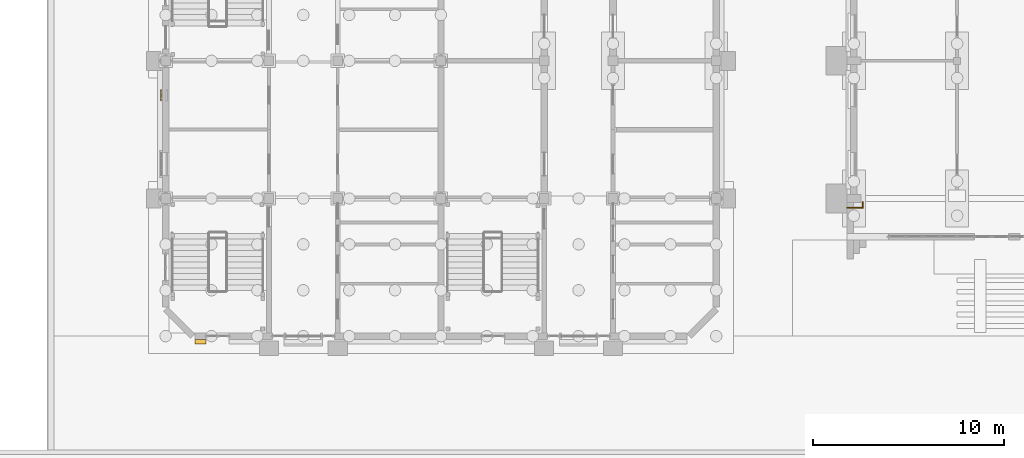
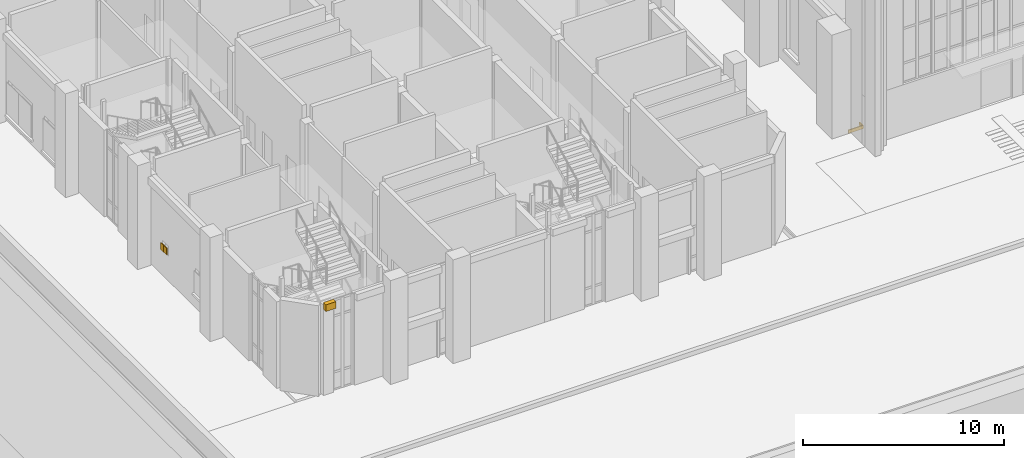
# One storey, part 81 of 84: 4 coverings.
"""IFC4 building model written with IfcOpenShell, lengths in metres."""

import ifcopenshell
import ifcopenshell.guid

model = None  # the IFC model being written
_history = None  # IfcOwnerHistory: only IFC2X3 demands one
_inside = {}  # id of a spatial element -> (the spatial element, [elements in it])
_under = {}  # id of a project, library or spatial element -> (it, [spatial elements below it])
_declared = {}  # id of a project -> (the project, [libraries it declares])
_typed = {}  # id of a type object -> (the type object, [elements of that type])
_made_of = {}  # id of a material, layer set ... -> (it, [elements and type objects made of it])


def new_model(schema):
    """Start an empty IFC model of exactly this schema.

    Asked for "IFC4X3", IfcOpenShell would pick the latest addendum, in which some entities
    have other attributes; the version numbers below select the first issue.
    IFC2X3 requires an IfcOwnerHistory on every rooted entity: one is made here for all.
    """
    global model, _history
    if schema == "IFC4X3":
        model = ifcopenshell.file(schema_version=(4, 3, 0, 0))
    else:
        model = ifcopenshell.file(schema=schema)
    _inside.clear()
    _under.clear()
    _declared.clear()
    _typed.clear()
    _made_of.clear()
    _history = None
    if model.schema == "IFC2X3":
        org = make("IfcOrganization", Name="unknown")
        user = make(
            "IfcPersonAndOrganization",
            ThePerson=make("IfcPerson", FamilyName="unknown"),
            TheOrganization=org,
        )
        app = make(
            "IfcApplication",
            ApplicationDeveloper=org,
            Version="unknown",
            ApplicationFullName="unknown",
            ApplicationIdentifier="unknown",
        )
        _history = make(
            "IfcOwnerHistory",
            OwningUser=user,
            OwningApplication=app,
            ChangeAction="ADDED",
            CreationDate=0,
        )
    return model


def make(cls, **values):
    """One entity of the class cls with the attributes given. An attribute that is None is left unset."""
    return model.create_entity(
        cls, **{name: value for name, value in values.items() if value is not None}
    )


def rooted(cls, **values):
    """An entity with a GlobalId (a new one), such as an element, a storey or a relation."""
    return make(cls, GlobalId=ifcopenshell.guid.new(), OwnerHistory=_history, **values)


def si_unit(unit_type, name, prefix=None):
    """IfcSIUnit, for example si_unit("LENGTHUNIT", "METRE", prefix="MILLI")."""
    return make("IfcSIUnit", UnitType=unit_type, Prefix=prefix, Name=name)


def assignment(units):
    """IfcUnitAssignment: the units of a project."""
    return None if units is None else make("IfcUnitAssignment", Units=units)


def point(xyz):
    """IfcCartesianPoint."""
    return None if xyz is None else make("IfcCartesianPoint", Coordinates=xyz)


def direction(xyz):
    """IfcDirection."""
    return None if xyz is None else make("IfcDirection", DirectionRatios=xyz)


def frame(location, z_axis=None, x_axis=None):
    """IfcAxis2Placement3D, a coordinate frame: its origin and axes. An axis left out is left unset."""
    return make(
        "IfcAxis2Placement3D",
        Location=point(location),
        Axis=direction(z_axis),
        RefDirection=direction(x_axis),
    )


def frame_2d(location, x_axis=None):
    """IfcAxis2Placement2D, a coordinate frame in the plane: its origin and x axis."""
    return make(
        "IfcAxis2Placement2D", Location=point(location), RefDirection=direction(x_axis)
    )


def origin():
    """The frame at (0, 0, 0) with its axes left unset."""
    return frame((0.0, 0.0, 0.0))


def origin_2d():
    """The frame at (0, 0) in the plane with its x axis left unset."""
    return frame_2d((0.0, 0.0))


def place(relative_to, where):
    """IfcLocalPlacement: puts the frame where relative to a parent placement (None: the world)."""
    return make(
        "IfcLocalPlacement", PlacementRelTo=relative_to, RelativePlacement=where
    )


def context(
    kind, dimensions, precision=None, world=None, true_north=None, identifier=None
):
    """IfcGeometricRepresentationContext, for example the 3D "Model" context."""
    return make(
        "IfcGeometricRepresentationContext",
        ContextIdentifier=identifier,
        ContextType=kind,
        CoordinateSpaceDimension=dimensions,
        Precision=precision,
        WorldCoordinateSystem=world,
        TrueNorth=true_north,
    )


def subcontext(parent, identifier, kind, view, scale=None):
    """IfcGeometricRepresentationSubContext, for example "Body" below "Model"."""
    return make(
        "IfcGeometricRepresentationSubContext",
        ContextIdentifier=identifier,
        ContextType=kind,
        ParentContext=parent,
        TargetScale=scale,
        TargetView=view,
    )


def project(units=None, contexts=None):
    """IfcProject with its units and contexts."""
    return rooted(
        "IfcProject",
        Name="project",
        RepresentationContexts=contexts,
        UnitsInContext=assignment(units),
    )


def spatial(cls, under=None, at=None, **own):
    """A site, building, storey or space (cls), placed at a placement, below another one or the project."""
    s = rooted(cls, ObjectPlacement=at, **own)
    if under is not None:
        _under.setdefault(under.id(), (under, []))[1].append(s)
    return s


def polyline(points):
    """IfcPolyline through the points."""
    return make("IfcPolyline", Points=[point(p) for p in points])


def profile(cls, at=None, kind="AREA", **sizes):
    """A parametric profile (cls). Its sizes go by their IFC names, for example OverallWidth=200.0."""
    return make(cls, ProfileType=kind, Position=at, **sizes)


def rectangle(**sizes):
    """IfcRectangleProfileDef."""
    return profile("IfcRectangleProfileDef", **sizes)


def outline(outer, holes=None, kind="AREA"):
    """IfcArbitraryClosedProfileDef: a profile drawn as a closed curve; with holes, ...WithVoids."""
    if holes is None:
        return make("IfcArbitraryClosedProfileDef", ProfileType=kind, OuterCurve=outer)
    return make(
        "IfcArbitraryProfileDefWithVoids",
        ProfileType=kind,
        OuterCurve=outer,
        InnerCurves=holes,
    )


def extrude(swept, where, along, depth):
    """IfcExtrudedAreaSolid: the profile swept, set in the frame where, extruded along a direction by depth."""
    return make(
        "IfcExtrudedAreaSolid",
        SweptArea=swept,
        Position=where,
        ExtrudedDirection=direction(along),
        Depth=depth,
    )


def shape(context_of_items, identifier, shape_type, items):
    """IfcShapeRepresentation: the items that make up one representation, for example the "Body"."""
    return make(
        "IfcShapeRepresentation",
        ContextOfItems=context_of_items,
        RepresentationIdentifier=identifier,
        RepresentationType=shape_type,
        Items=items,
    )


def material(Name=None, Category=None):
    """IfcMaterial."""
    return make("IfcMaterial", Name=Name, Category=Category)


def layer(
    of_material, thickness, ventilated=None, Name=None, Category=None, Priority=None
):
    """IfcMaterialLayer: one layer of a wall or slab, of a material (None: an air gap)."""
    return make(
        "IfcMaterialLayer",
        Material=of_material,
        LayerThickness=thickness,
        IsVentilated=ventilated,
        Name=Name,
        Category=Category,
        Priority=Priority,
    )


def layer_set(layers, Name=None):
    """IfcMaterialLayerSet."""
    return make("IfcMaterialLayerSet", MaterialLayers=layers, LayerSetName=Name)


def made_of(thing, what):
    """Note that an element or type object is made of a material, layer set ...; save() writes the relation."""
    if what is not None:
        _made_of.setdefault(what.id(), (what, []))[1].append(thing)
    return thing


def type_object(cls, material=None, **own):
    """A type object (cls), such as IfcWallType, which elements share."""
    return made_of(rooted(cls, **own), material)


def element(
    cls,
    number,
    at=None,
    inside=None,
    cuts=None,
    type_object=None,
    material=None,
    context=None,
    identifier="Body",
    shape_type=None,
    held_by="IfcProductDefinitionShape",
    body=None,
    shapes=None,
    **own,
):
    """One element of the class cls, such as IfcWall. Its Tag is "e" and its number.

    at: its placement. inside: the storey or other place that contains it. cuts: it is an
    opening in that element (IfcRelVoidsElement). A single representation is given by context,
    identifier, shape_type and body (its items); several are given by shapes. held_by: the class
    of the entity that holds the representations. save() writes the other relations.
    """
    e = rooted(cls, Tag="e%d" % number, ObjectPlacement=at, **own)
    if body is not None:
        shapes = [shape(context, identifier, shape_type, body)]
    if shapes is not None:
        e.Representation = make(held_by, Representations=shapes)
    if inside is not None:
        _inside.setdefault(inside.id(), (inside, []))[1].append(e)
    if cuts is not None:
        rooted(
            "IfcRelVoidsElement", RelatingBuildingElement=cuts, RelatedOpeningElement=e
        )
    if type_object is not None:
        _typed.setdefault(type_object.id(), (type_object, []))[1].append(e)
    return made_of(e, material)


def aggregate(whole, parts):
    """IfcRelAggregates: a whole, such as a stair, and the parts it consists of."""
    return rooted("IfcRelAggregates", RelatingObject=whole, RelatedObjects=parts)


def save(model, path):
    """Write the relations noted so far, then the file.

    IfcRelAggregates (storeys below a building ...), IfcRelContainedInSpatialStructure (elements
    in a storey), IfcRelDefinesByType, IfcRelAssociatesMaterial and IfcRelDeclares: one each for
    every whole, place, type object, material and project.
    """
    for whole, parts in _under.values():
        aggregate(whole, parts)
    for where, things in _inside.values():
        rooted(
            "IfcRelContainedInSpatialStructure",
            RelatedElements=things,
            RelatingStructure=where,
        )
    for kind, things in _typed.values():
        rooted("IfcRelDefinesByType", RelatedObjects=things, RelatingType=kind)
    for what, things in _made_of.values():
        rooted("IfcRelAssociatesMaterial", RelatedObjects=things, RelatingMaterial=what)
    for by, libraries in _declared.values():
        rooted("IfcRelDeclares", RelatingContext=by, RelatedDefinitions=libraries)
    model.write(path)


model = new_model("IFC4")

# Units and contexts
model_context = context("Model", 3, precision=1e-05, world=origin(), true_north=direction((0.0, 1.0)))
body_context = subcontext(model_context, "Body", "Model", "MODEL_VIEW")
ifc_project = project(units=[si_unit("LENGTHUNIT", "METRE"), si_unit("AREAUNIT", "SQUARE_METRE"), si_unit("VOLUMEUNIT", "CUBIC_METRE"), si_unit("PLANEANGLEUNIT", "RADIAN"), si_unit("MASSUNIT", "GRAM", prefix="KILO")], contexts=[model_context])

# Site, building, storey
site_placement = place(None, origin())
site = spatial("IfcSite", under=ifc_project, at=site_placement, CompositionType="ELEMENT")
building_placement = place(site_placement, origin())
building = spatial("IfcBuilding", under=site, at=building_placement, Name="Mazhai Court Health Centre", CompositionType="ELEMENT")
storey_placement = place(building_placement, origin())
storey = spatial("IfcBuildingStorey", under=building, at=storey_placement, Name="L00", CompositionType="ELEMENT", Elevation=0.0)

# Coverings
ifc_material_1 = material(Name="Clay brick masonry", Category="masonry")
ifc_layer_1 = layer(ifc_material_1, 0.25)
ifc_layer_set_1 = layer_set([ifc_layer_1], Name="BRICK BAND 250")
covering_type_1 = type_object("IfcCoveringType", Name="BRICK BAND 250", PredefinedType="MOLDING", material=ifc_layer_set_1)
covering_1_placement = place(storey_placement, frame((0.0, 0.0, 5.25)))
element("IfcCovering", 1, at=covering_1_placement, inside=storey, type_object=covering_type_1, Name="EB-V2-L00-Sp0-0", PredefinedType="MOLDING", context=body_context, shape_type="SweptSolid", body=[
    extrude(outline(polyline([(8.320068359375, 6.034912109375), (7.73095703125, 6.034912109375), (7.73095703125, 5.784912109375), (8.320068359375, 5.784912109375), (8.320068359375, 6.034912109375)])), origin(), (0.0, 0.0, 1.0), 0.39990234375),
])
ifc_material_2 = material(Name="Aluminium louvre", Category="aluminium")
ifc_layer_2 = layer(ifc_material_2, 0.0400390625)
ifc_layer_set_2 = layer_set([ifc_layer_2], Name="SHUTTER LEAF 600x40")
covering_type_2 = type_object("IfcCoveringType", Name="SHUTTER LEAF 600x40", PredefinedType="CLADDING", material=ifc_layer_set_2)
for number, where, z_axis, x_axis, name in (
    (2, (5.955078125, 18.64990234375, 1.60009765625), (0.0, 0.0, 1.0), (0.0, 1.0, 0.0), "LV-V2-L00-A11a"),
    (3, (5.955078125, 18.949951171875, 1.60009765625), (0.0, 0.0, 1.0), (0.0, 1.0, 0.0), "LV-V2-L00-A11b"),
):
    element("IfcCovering", number, at=place(storey_placement, frame(where, z_axis=z_axis, x_axis=x_axis)), inside=storey, type_object=covering_type_2, Name=name, PredefinedType="CLADDING", context=body_context, shape_type="SweptSolid", body=[
        extrude(rectangle(XDim=0.300048828125, YDim=0.0400390625, at=origin_2d()), origin(), (0.0, 0.0, 1.0), 0.39990234375),
    ])
ifc_material_3 = material(Name="Planted topsoil and lawn")
ifc_layer_3 = layer(ifc_material_3, 0.199951171875)
ifc_layer_set_3 = layer_set([ifc_layer_3], Name="SITE GROUND PLANTED SOIL 200")
covering_type_3 = type_object("IfcCoveringType", Name="SITE GROUND PLANTED SOIL 200", PredefinedType="FLOORING", material=ifc_layer_set_3)
covering_2_placement = place(storey_placement, frame((0.0, 0.0, -0.199951171875)))
element("IfcCovering", 4, at=covering_2_placement, inside=storey, type_object=covering_type_3, Name="Site ground 3", PredefinedType="FLOORING", context=body_context, shape_type="SweptSolid", body=[
    extrude(outline(polyline([(42.699951171875, 13.235107421875), (42.699951171875, 12.89990234375), (41.840087890625, 12.89990234375), (41.840087890625, 12.949951171875), (42.64990234375, 12.949951171875), (42.64990234375, 13.235107421875), (42.699951171875, 13.235107421875)])), origin(), (0.0, 0.0, 1.0), 0.199951171875),
])

save(model, "model.ifc")
